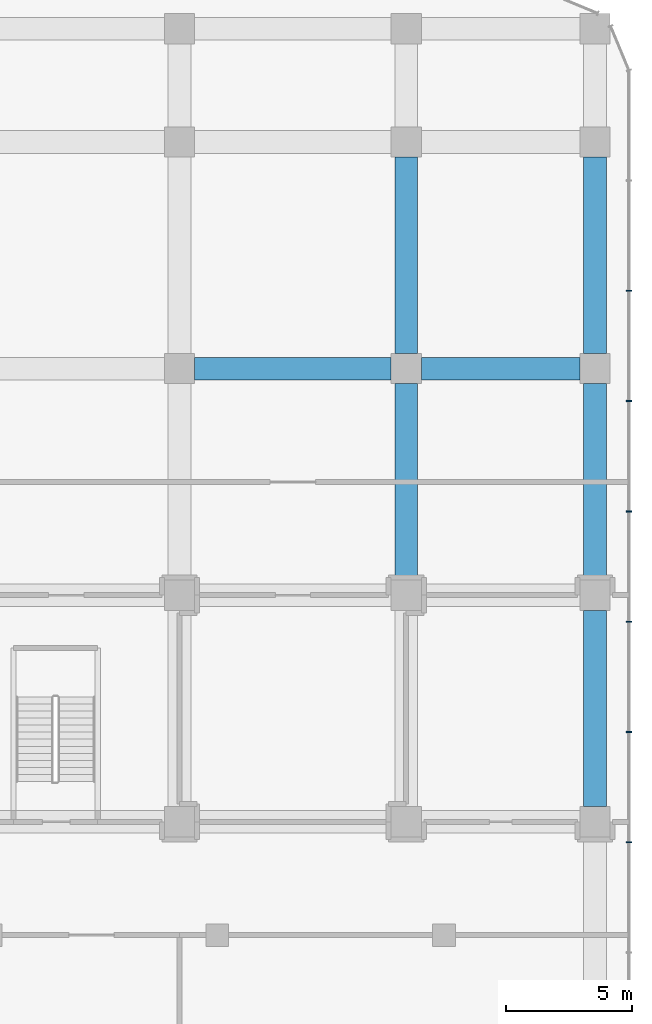
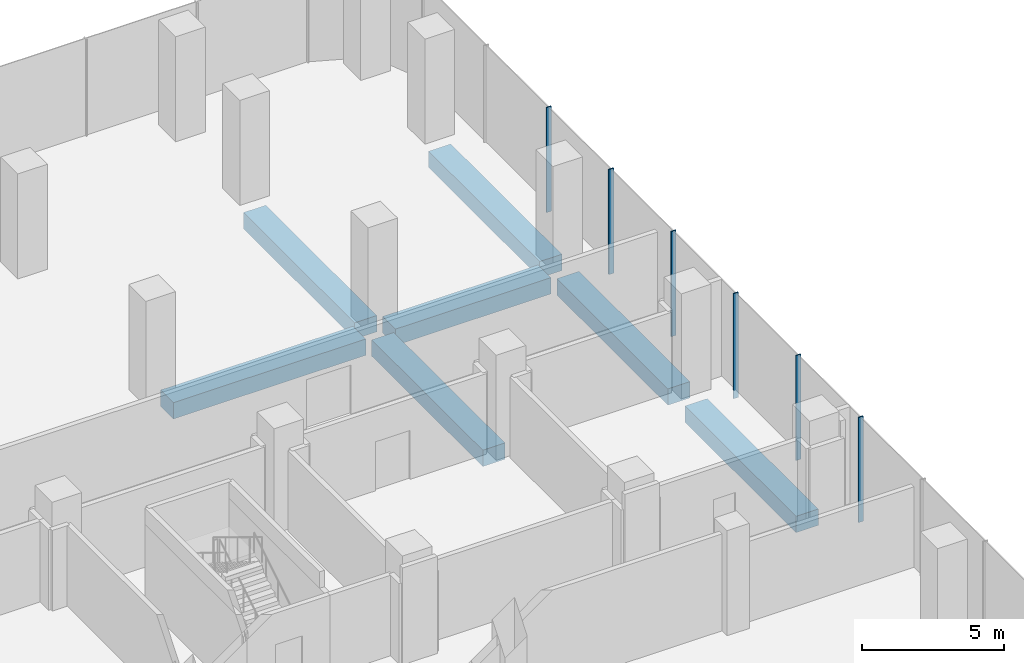
# One storey, part 20 of 43: 7 beams, 6 members, 1 element without a shape of its own.
"""IFC4 building model written with IfcOpenShell, lengths in metres."""

from ifc_helpers import new_model, si_unit, direction, frame, origin, origin_2d, place, context, subcontext, project, spatial, rectangle, extrude, material, layer, layer_set, material_profile, profile_set, type_object, element, aggregate, save


model = new_model("IFC4")

# Units and contexts
model_context = context("Model", 3, precision=1e-05, world=origin(), true_north=direction((0.0, 1.0)))
body_context = subcontext(model_context, "Body", "Model", "MODEL_VIEW")
ifc_project = project(units=[si_unit("LENGTHUNIT", "METRE"), si_unit("AREAUNIT", "SQUARE_METRE"), si_unit("VOLUMEUNIT", "CUBIC_METRE"), si_unit("PLANEANGLEUNIT", "RADIAN"), si_unit("MASSUNIT", "GRAM", prefix="KILO")], contexts=[model_context])

# Site, building, storey
site_placement = place(None, origin())
site = spatial("IfcSite", under=ifc_project, at=site_placement, CompositionType="ELEMENT")
building_placement = place(site_placement, origin())
building = spatial("IfcBuilding", under=site, at=building_placement, Name="Plateau Cross Towers", CompositionType="ELEMENT")
storey_placement = place(building_placement, frame((0.0, 0.0, 12.800048828125)))
storey = spatial("IfcBuildingStorey", under=building, at=storey_placement, Name="L02", CompositionType="ELEMENT", Elevation=12.800048828125)

# Curtain wall, members
ifc_material_1 = material(Name="Dark low-iron laminated glass", Category="glass")
ifc_layer = layer(ifc_material_1, 0.300048828125)
ifc_layer_set = layer_set([ifc_layer], Name="Dark low-iron laminated glass")
curtain_wall_type = type_object("IfcCurtainWallType", Name="Curtain wall structural silicone CW-C", PredefinedType="NOTDEFINED", material=ifc_layer_set)
curtain_wall_placement = place(storey_placement, origin())
curtain_wall = element("IfcCurtainWall", 1, at=curtain_wall_placement, inside=storey, type_object=curtain_wall_type, Name="ENV/P/L02/P1078_-88", PredefinedType="NOTDEFINED")
ifc_material_2 = material(Name="Black anodised aluminium", Category="aluminium")
ifc_material_profile_1 = material_profile(ifc_material_2, rectangle(XDim=0.050048828125, YDim=0.199951171875, at=origin_2d()), Name="MULLION 50x200")
ifc_profile_set_1 = profile_set([ifc_material_profile_1], Name="Black anodised aluminium")
member_type = type_object("IfcMemberType", Name="Mullion 50x200 structural silicone", PredefinedType="MULLION", material=ifc_profile_set_1)
member_1_placement = place(storey_placement, frame((107.85009765625, 26.18994140625, -0.35009765625), z_axis=(0.0, 0.0, 1.0), x_axis=(0.0, 1.0, 0.0)))
member_1 = element("IfcMember", 2, at=member_1_placement, type_object=member_type, Name="CW-C mullion 9", PredefinedType="MULLION", context=body_context, shape_type="SweptSolid", body=[
    extrude(rectangle(XDim=0.050048828125, YDim=0.199951171875, at=origin_2d()), origin(), (0.0, 0.0, 1.0), 4.5),
])
member_2_placement = place(storey_placement, frame((107.85009765625, 30.570068359375, -0.35009765625), z_axis=(0.0, 0.0, 1.0), x_axis=(0.0, 1.0, 0.0)))
member_2 = element("IfcMember", 3, at=member_2_placement, type_object=member_type, Name="CW-C mullion 10", PredefinedType="MULLION", context=body_context, shape_type="SweptSolid", body=[
    extrude(rectangle(XDim=0.050048828125, YDim=0.199951171875, at=origin_2d()), origin(), (0.0, 0.0, 1.0), 4.5),
])
member_3_placement = place(storey_placement, frame((107.85009765625, 34.949951171875, -0.35009765625), z_axis=(0.0, 0.0, 1.0), x_axis=(0.0, 1.0, 0.0)))
member_3 = element("IfcMember", 4, at=member_3_placement, type_object=member_type, Name="CW-C mullion 11", PredefinedType="MULLION", context=body_context, shape_type="SweptSolid", body=[
    extrude(rectangle(XDim=0.050048828125, YDim=0.199951171875, at=origin_2d()), origin(), (0.0, 0.0, 1.0), 4.5),
])
member_4_placement = place(storey_placement, frame((107.85009765625, 39.330078125, -0.35009765625), z_axis=(0.0, 0.0, 1.0), x_axis=(0.0, 1.0, 0.0)))
member_4 = element("IfcMember", 5, at=member_4_placement, type_object=member_type, Name="CW-C mullion 12", PredefinedType="MULLION", context=body_context, shape_type="SweptSolid", body=[
    extrude(rectangle(XDim=0.050048828125, YDim=0.199951171875, at=origin_2d()), origin(), (0.0, 0.0, 1.0), 4.5),
])
member_5_placement = place(storey_placement, frame((107.85009765625, 43.7099609375, -0.35009765625), z_axis=(0.0, 0.0, 1.0), x_axis=(0.0, 1.0, 0.0)))
member_5 = element("IfcMember", 6, at=member_5_placement, type_object=member_type, Name="CW-C mullion 13", PredefinedType="MULLION", context=body_context, shape_type="SweptSolid", body=[
    extrude(rectangle(XDim=0.050048828125, YDim=0.199951171875, at=origin_2d()), origin(), (0.0, 0.0, 1.0), 4.5),
])
member_6_placement = place(storey_placement, frame((107.85009765625, 48.090087890625, -0.35009765625), z_axis=(0.0, 0.0, 1.0), x_axis=(0.0, 1.0, 0.0)))
member_6 = element("IfcMember", 7, at=member_6_placement, type_object=member_type, Name="CW-C mullion 14", PredefinedType="MULLION", context=body_context, shape_type="SweptSolid", body=[
    extrude(rectangle(XDim=0.050048828125, YDim=0.199951171875, at=origin_2d()), origin(), (0.0, 0.0, 1.0), 4.5),
])
aggregate(curtain_wall, [member_1, member_2, member_3, member_4, member_5, member_6])

# Beams
ifc_material_3 = material(Name="Concrete C50/60", Category="concrete")
ifc_material_profile_2 = material_profile(ifc_material_3, rectangle(XDim=0.89990234375, YDim=0.699951171875, at=origin_2d()), Name="RC 900x700")
ifc_profile_set_2 = profile_set([ifc_material_profile_2], Name="Concrete C50/60")
beam_type = type_object("IfcBeamType", Name="Podium band beam RC 900x700", PredefinedType="BEAM", material=ifc_profile_set_2)
beam_1_placement = place(storey_placement, frame((90.60009765625, 45.0, -0.699951171875), z_axis=(1.0, 0.0, 0.0), x_axis=(0.0, 1.0, 0.0)))
element("IfcBeam", 8, at=beam_1_placement, inside=storey, type_object=beam_type, Name="PB65@L02", PredefinedType="BEAM", context=body_context, shape_type="SweptSolid", body=[
    extrude(rectangle(XDim=0.89990234375, YDim=0.699951171875, at=origin_2d()), origin(), (0.0, 0.0, 1.0), 7.7998046875),
])
beam_2_placement = place(storey_placement, frame((99.60009765625, 45.0, -0.699951171875), z_axis=(1.0, 0.0, 0.0), x_axis=(0.0, 1.0, 0.0)))
element("IfcBeam", 9, at=beam_2_placement, inside=storey, type_object=beam_type, Name="PB66@L02", PredefinedType="BEAM", context=body_context, shape_type="SweptSolid", body=[
    extrude(rectangle(XDim=0.89990234375, YDim=0.699951171875, at=origin_2d()), origin(), (0.0, 0.0, 1.0), 6.2998046875),
])
for number, where, z_axis, x_axis, name in (
    (10, (99.0, 36.60009765625, -0.699951171875), (0.0, 1.0, 0.0), (-1.0, 0.0, 0.0), "PB170@L02"),
    (11, (99.0, 45.60009765625, -0.699951171875), (0.0, 1.0, 0.0), (-1.0, 0.0, 0.0), "PB171@L02"),
    (12, (106.5, 27.60009765625, -0.699951171875), (0.0, 1.0, 0.0), (-1.0, 0.0, 0.0), "PB178@L02"),
    (13, (106.5, 36.60009765625, -0.699951171875), (0.0, 1.0, 0.0), (-1.0, 0.0, 0.0), "PB179@L02"),
    (14, (106.5, 45.60009765625, -0.699951171875), (0.0, 1.0, 0.0), (-1.0, 0.0, 0.0), "PB180@L02"),
):
    element("IfcBeam", number, at=place(storey_placement, frame(where, z_axis=z_axis, x_axis=x_axis)), inside=storey, type_object=beam_type, Name=name, PredefinedType="BEAM", context=body_context, shape_type="SweptSolid", body=[
        extrude(rectangle(XDim=0.89990234375, YDim=0.699951171875, at=origin_2d()), origin(), (0.0, 0.0, 1.0), 7.7998046875),
    ])

save(model, "model.ifc")
